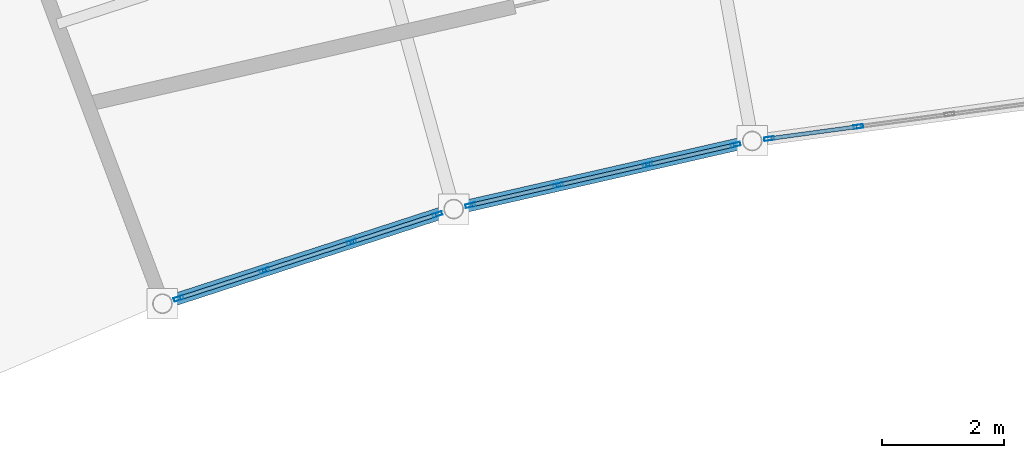
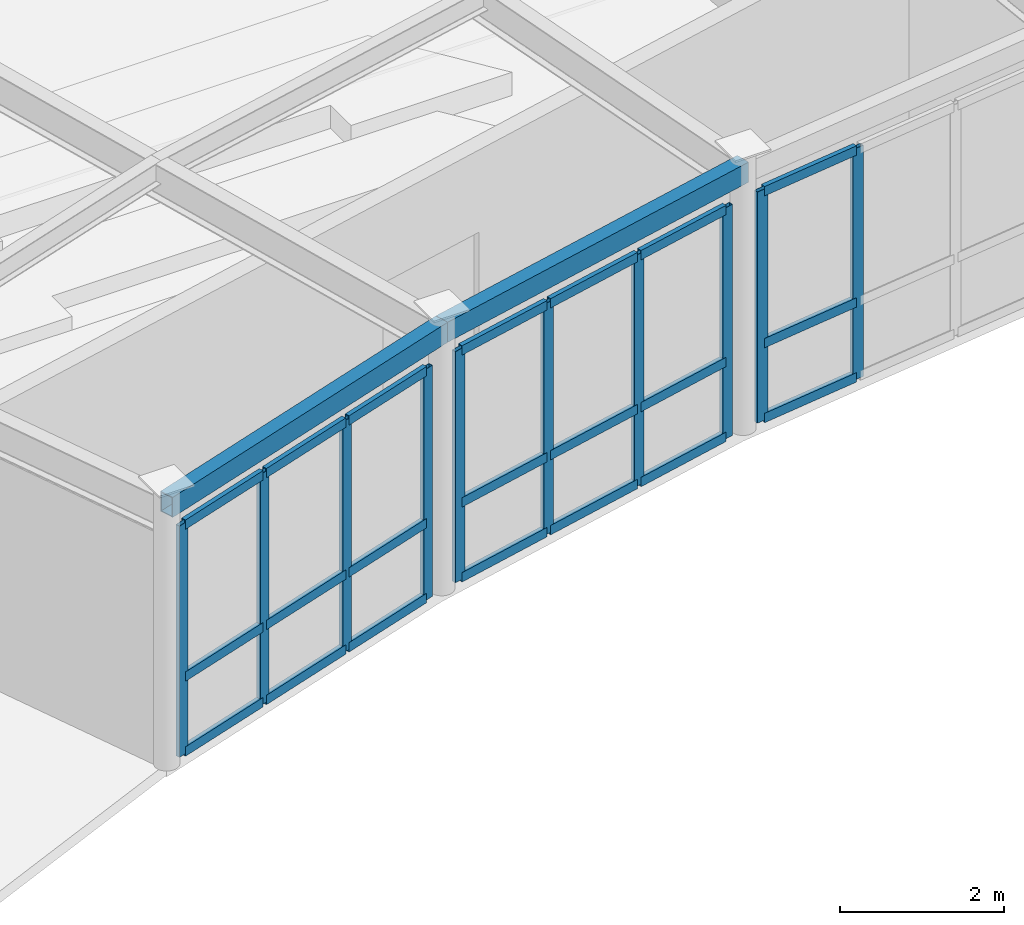
# One storey, part 22 of 54: 31 members, 2 beams, 3 elements without a shape of their own.
"""IFC4 building model written with IfcOpenShell, lengths in metres."""

from ifc_helpers import new_model, si_unit, direction, frame, origin, origin_2d, place, context, subcontext, project, spatial, hollow_rectangle, extrude, material, layer, layer_set, material_profile, profile_set, type_object, element, aggregate, save


model = new_model("IFC4")

# Units and contexts
model_context = context("Model", 3, precision=1e-05, world=origin(), true_north=direction((0.0, 1.0)))
body_context = subcontext(model_context, "Body", "Model", "MODEL_VIEW")
ifc_project = project(units=[si_unit("LENGTHUNIT", "METRE"), si_unit("AREAUNIT", "SQUARE_METRE"), si_unit("VOLUMEUNIT", "CUBIC_METRE"), si_unit("PLANEANGLEUNIT", "RADIAN"), si_unit("MASSUNIT", "GRAM", prefix="KILO")], contexts=[model_context])

# Site, building, storey
site_placement = place(None, origin())
site = spatial("IfcSite", under=ifc_project, at=site_placement, CompositionType="ELEMENT")
building_placement = place(site_placement, origin())
building = spatial("IfcBuilding", under=site, at=building_placement, Name="Selat Folded Stagehouse", CompositionType="ELEMENT")
storey_placement = place(building_placement, frame((0.0, 0.0, 15.0)))
storey = spatial("IfcBuildingStorey", under=building, at=storey_placement, Name="L03", CompositionType="ELEMENT", Elevation=15.0)

# Curtain wall, members
ifc_material_1 = material(Name="Aluminium 6063-T6", Category="aluminium")
ifc_layer = layer(ifc_material_1, 0.18994140625)
ifc_layer_set = layer_set([ifc_layer], Name="Aluminium 6063-T6")
curtain_wall_type = type_object("IfcCurtainWallType", Name="CW-REH-ARC", PredefinedType="NOTDEFINED", material=ifc_layer_set)
curtain_wall_1_placement = place(storey_placement, origin())
curtain_wall_1 = element("IfcCurtainWall", 1, at=curtain_wall_1_placement, inside=storey, type_object=curtain_wall_type, Name="L03 curtain wall CW-REH-L03-03", PredefinedType="NOTDEFINED")
ifc_material_profile_1 = material_profile(ifc_material_1, hollow_rectangle(XDim=0.06005859375, YDim=0.159912109375, WallThickness=0.00390625, at=origin_2d()), Name="ALU 160x60x4.0")
ifc_profile_set_1 = profile_set([ifc_material_profile_1], Name="Aluminium 6063-T6")
member_type_1 = type_object("IfcMemberType", Name="CWM-MUL-160x60", PredefinedType="MULLION", material=ifc_profile_set_1)
member_1_placement = place(storey_placement, frame((77.235595703125, 91.895263671875, 0.0), z_axis=(0.0, 0.0, 1.0), x_axis=(0.308991620714, -0.951064760323, 0.0)))
member_1 = element("IfcMember", 2, at=member_1_placement, type_object=member_type_1, Name="CW-06 mullion 1", PredefinedType="MULLION", context=body_context, shape_type="SweptSolid", body=[
    extrude(hollow_rectangle(XDim=0.06005859375, YDim=0.159912109375, WallThickness=0.00390625, at=origin_2d()), origin(), (0.0, 0.0, 1.0), 3.449951171875),
])
member_2_placement = place(storey_placement, frame((75.82958984375, 91.4384765625, 0.0), z_axis=(0.0, 0.0, 1.0), x_axis=(0.308991620714, -0.951064760323, 0.0)))
member_2 = element("IfcMember", 3, at=member_2_placement, type_object=member_type_1, Name="CW-06 mullion 2", PredefinedType="MULLION", context=body_context, shape_type="SweptSolid", body=[
    extrude(hollow_rectangle(XDim=0.06005859375, YDim=0.159912109375, WallThickness=0.00390625, at=origin_2d()), origin(), (0.0, 0.0, 1.0), 3.449951171875),
])
member_3_placement = place(storey_placement, frame((74.395263671875, 90.972412109375, 0.0), z_axis=(0.0, 0.0, 1.0), x_axis=(0.308991620714, -0.951064760323, 0.0)))
member_3 = element("IfcMember", 4, at=member_3_placement, type_object=member_type_1, Name="CW-06 mullion 3", PredefinedType="MULLION", context=body_context, shape_type="SweptSolid", body=[
    extrude(hollow_rectangle(XDim=0.06005859375, YDim=0.159912109375, WallThickness=0.00390625, at=origin_2d()), origin(), (0.0, 0.0, 1.0), 3.449951171875),
])
member_4_placement = place(storey_placement, frame((72.9892578125, 90.515869140625, 0.0), z_axis=(0.0, 0.0, 1.0), x_axis=(0.308991620714, -0.951064760323, 0.0)))
member_4 = element("IfcMember", 5, at=member_4_placement, type_object=member_type_1, Name="CW-06 mullion 4", PredefinedType="MULLION", context=body_context, shape_type="SweptSolid", body=[
    extrude(hollow_rectangle(XDim=0.06005859375, YDim=0.159912109375, WallThickness=0.00390625, at=origin_2d()), origin(), (0.0, 0.0, 1.0), 3.449951171875),
])

curtain_wall_2_placement = place(storey_placement, origin())
curtain_wall_2 = element("IfcCurtainWall", 6, at=curtain_wall_2_placement, inside=storey, type_object=curtain_wall_type, Name="L03 curtain wall CW-REH-L03-04", PredefinedType="NOTDEFINED")
member_5_placement = place(storey_placement, frame((82.1279296875, 93.037841796875, 0.0), z_axis=(0.0, 0.0, 1.0), x_axis=(0.222542761079, -0.974922930026, 0.0)))
member_5 = element("IfcMember", 7, at=member_5_placement, type_object=member_type_1, Name="CW-06 mullion 1", PredefinedType="MULLION", context=body_context, shape_type="SweptSolid", body=[
    extrude(hollow_rectangle(XDim=0.06005859375, YDim=0.159912109375, WallThickness=0.00390625, at=origin_2d()), origin(), (0.0, 0.0, 1.0), 3.449951171875),
])
member_6_placement = place(storey_placement, frame((80.6865234375, 92.708740234375, 0.0), z_axis=(0.0, 0.0, 1.0), x_axis=(0.222542761079, -0.974922930026, 0.0)))
member_6 = element("IfcMember", 8, at=member_6_placement, type_object=member_type_1, Name="CW-06 mullion 2", PredefinedType="MULLION", context=body_context, shape_type="SweptSolid", body=[
    extrude(hollow_rectangle(XDim=0.06005859375, YDim=0.159912109375, WallThickness=0.00390625, at=origin_2d()), origin(), (0.0, 0.0, 1.0), 3.449951171875),
])
member_7_placement = place(storey_placement, frame((79.216064453125, 92.373046875, 0.0), z_axis=(0.0, 0.0, 1.0), x_axis=(0.222542761079, -0.974922930026, 0.0)))
member_7 = element("IfcMember", 9, at=member_7_placement, type_object=member_type_1, Name="CW-06 mullion 3", PredefinedType="MULLION", context=body_context, shape_type="SweptSolid", body=[
    extrude(hollow_rectangle(XDim=0.06005859375, YDim=0.159912109375, WallThickness=0.00390625, at=origin_2d()), origin(), (0.0, 0.0, 1.0), 3.449951171875),
])
member_8_placement = place(storey_placement, frame((77.77490234375, 92.044189453125, 0.0), z_axis=(0.0, 0.0, 1.0), x_axis=(0.222542761079, -0.974922930026, 0.0)))
member_8 = element("IfcMember", 10, at=member_8_placement, type_object=member_type_1, Name="CW-06 mullion 4", PredefinedType="MULLION", context=body_context, shape_type="SweptSolid", body=[
    extrude(hollow_rectangle(XDim=0.06005859375, YDim=0.159912109375, WallThickness=0.00390625, at=origin_2d()), origin(), (0.0, 0.0, 1.0), 3.449951171875),
])

curtain_wall_3_placement = place(storey_placement, origin())
curtain_wall_3 = element("IfcCurtainWall", 11, at=curtain_wall_3_placement, inside=storey, type_object=curtain_wall_type, Name="L03 curtain wall CW-REH-L03-05", PredefinedType="NOTDEFINED")
member_9_placement = place(storey_placement, frame((84.14306640625, 93.336181640625, 0.0), z_axis=(0.0, 0.0, 1.0), x_axis=(0.134211766018, -0.990952673876, 0.0)))
member_9 = element("IfcMember", 12, at=member_9_placement, type_object=member_type_1, Name="CW-06 mullion 3", PredefinedType="MULLION", context=body_context, shape_type="SweptSolid", body=[
    extrude(hollow_rectangle(XDim=0.06005859375, YDim=0.159912109375, WallThickness=0.00390625, at=origin_2d()), origin(), (0.0, 0.0, 1.0), 3.449951171875),
])
member_10_placement = place(storey_placement, frame((82.67822265625, 93.1376953125, 0.0), z_axis=(0.0, 0.0, 1.0), x_axis=(0.134211766018, -0.990952673876, 0.0)))
member_10 = element("IfcMember", 13, at=member_10_placement, type_object=member_type_1, Name="CW-06 mullion 4", PredefinedType="MULLION", context=body_context, shape_type="SweptSolid", body=[
    extrude(hollow_rectangle(XDim=0.06005859375, YDim=0.159912109375, WallThickness=0.00390625, at=origin_2d()), origin(), (0.0, 0.0, 1.0), 3.449951171875),
])

# Member
ifc_material_profile_2 = material_profile(ifc_material_1, hollow_rectangle(XDim=0.06494140625, YDim=0.139892578125, WallThickness=0.00390625, at=origin_2d()), Name="ALU 140x65x4.0")
ifc_profile_set_2 = profile_set([ifc_material_profile_2], Name="Aluminium 6063-T6")
member_type_2 = type_object("IfcMemberType", Name="CWM-TRN-140x65", PredefinedType="USERDEFINED", material=ifc_profile_set_2)
member_11_placement = place(storey_placement, frame((77.20703125, 91.885986328125, 0.032470703125), z_axis=(-0.951065688988, -0.308988762305, 0.0), x_axis=(0.308988762305, -0.951065688988, 0.0)))
member_11 = element("IfcMember", 14, at=member_11_placement, type_object=member_type_2, Name="CW-06 transom 1.1", ObjectType="TRANSOM", PredefinedType="USERDEFINED", context=body_context, shape_type="SweptSolid", body=[
    extrude(hollow_rectangle(XDim=0.06494140625, YDim=0.139892578125, WallThickness=0.00390625, at=origin_2d()), origin(), (0.0, 0.0, 1.0), 1.418212890625),
])

member_12_placement = place(storey_placement, frame((77.20703125, 91.885986328125, 1.14990234375), z_axis=(-0.951065688988, -0.308988762305, 0.0), x_axis=(0.308988762305, -0.951065688988, 0.0)))
member_12 = element("IfcMember", 15, at=member_12_placement, type_object=member_type_2, Name="CW-06 transom 1.2", ObjectType="TRANSOM", PredefinedType="USERDEFINED", context=body_context, shape_type="SweptSolid", body=[
    extrude(hollow_rectangle(XDim=0.06494140625, YDim=0.139892578125, WallThickness=0.00390625, at=origin_2d()), origin(), (0.0, 0.0, 1.0), 1.418212890625),
])

member_13_placement = place(storey_placement, frame((77.20703125, 91.885986328125, 3.41748046875), z_axis=(-0.951065688988, -0.308988762305, 0.0), x_axis=(0.308988762305, -0.951065688988, 0.0)))
member_13 = element("IfcMember", 16, at=member_13_placement, type_object=member_type_2, Name="CW-06 transom 1.3", ObjectType="TRANSOM", PredefinedType="USERDEFINED", context=body_context, shape_type="SweptSolid", body=[
    extrude(hollow_rectangle(XDim=0.06494140625, YDim=0.139892578125, WallThickness=0.00390625, at=origin_2d()), origin(), (0.0, 0.0, 1.0), 1.418212890625),
])

member_14_placement = place(storey_placement, frame((75.801025390625, 91.42919921875, 0.032470703125), z_axis=(-0.951050174126, -0.309036512883, 0.0), x_axis=(0.309036512883, -0.951050174126, 0.0)))
member_14 = element("IfcMember", 17, at=member_14_placement, type_object=member_type_2, Name="CW-06 transom 2.1", ObjectType="TRANSOM", PredefinedType="USERDEFINED", context=body_context, shape_type="SweptSolid", body=[
    extrude(hollow_rectangle(XDim=0.06494140625, YDim=0.139892578125, WallThickness=0.00390625, at=origin_2d()), origin(), (0.0, 0.0, 1.0), 1.447998046875),
])

member_15_placement = place(storey_placement, frame((75.801025390625, 91.42919921875, 1.14990234375), z_axis=(-0.951050174126, -0.309036512883, 0.0), x_axis=(0.309036512883, -0.951050174126, 0.0)))
member_15 = element("IfcMember", 18, at=member_15_placement, type_object=member_type_2, Name="CW-06 transom 2.2", ObjectType="TRANSOM", PredefinedType="USERDEFINED", context=body_context, shape_type="SweptSolid", body=[
    extrude(hollow_rectangle(XDim=0.06494140625, YDim=0.139892578125, WallThickness=0.00390625, at=origin_2d()), origin(), (0.0, 0.0, 1.0), 1.447998046875),
])

member_16_placement = place(storey_placement, frame((75.801025390625, 91.42919921875, 3.41748046875), z_axis=(-0.951050174126, -0.309036512883, 0.0), x_axis=(0.309036512883, -0.951050174126, 0.0)))
member_16 = element("IfcMember", 19, at=member_16_placement, type_object=member_type_2, Name="CW-06 transom 2.3", ObjectType="TRANSOM", PredefinedType="USERDEFINED", context=body_context, shape_type="SweptSolid", body=[
    extrude(hollow_rectangle(XDim=0.06494140625, YDim=0.139892578125, WallThickness=0.00390625, at=origin_2d()), origin(), (0.0, 0.0, 1.0), 1.447998046875),
])

member_17_placement = place(storey_placement, frame((74.36669921875, 90.96337890625, 0.032470703125), z_axis=(-0.951065688988, -0.308988762305, 0.0), x_axis=(0.308988762305, -0.951065688988, 0.0)))
member_17 = element("IfcMember", 20, at=member_17_placement, type_object=member_type_2, Name="CW-06 transom 3.1", ObjectType="TRANSOM", PredefinedType="USERDEFINED", context=body_context, shape_type="SweptSolid", body=[
    extrude(hollow_rectangle(XDim=0.06494140625, YDim=0.139892578125, WallThickness=0.00390625, at=origin_2d()), origin(), (0.0, 0.0, 1.0), 1.418212890625),
])

member_18_placement = place(storey_placement, frame((74.36669921875, 90.96337890625, 1.14990234375), z_axis=(-0.951065688988, -0.308988762305, 0.0), x_axis=(0.308988762305, -0.951065688988, 0.0)))
member_18 = element("IfcMember", 21, at=member_18_placement, type_object=member_type_2, Name="CW-06 transom 3.2", ObjectType="TRANSOM", PredefinedType="USERDEFINED", context=body_context, shape_type="SweptSolid", body=[
    extrude(hollow_rectangle(XDim=0.06494140625, YDim=0.139892578125, WallThickness=0.00390625, at=origin_2d()), origin(), (0.0, 0.0, 1.0), 1.418212890625),
])

member_19_placement = place(storey_placement, frame((74.36669921875, 90.96337890625, 3.41748046875), z_axis=(-0.951065688988, -0.308988762305, 0.0), x_axis=(0.308988762305, -0.951065688988, 0.0)))
member_19 = element("IfcMember", 22, at=member_19_placement, type_object=member_type_2, Name="CW-06 transom 3.3", ObjectType="TRANSOM", PredefinedType="USERDEFINED", context=body_context, shape_type="SweptSolid", body=[
    extrude(hollow_rectangle(XDim=0.06494140625, YDim=0.139892578125, WallThickness=0.00390625, at=origin_2d()), origin(), (0.0, 0.0, 1.0), 1.418212890625),
])

aggregate(curtain_wall_1, [member_1, member_2, member_3, member_4, member_11, member_12, member_13, member_14, member_15, member_16, member_17, member_18, member_19])

member_20_placement = place(storey_placement, frame((82.0986328125, 93.03125, 0.032470703125), z_axis=(-0.974919361771, -0.222558392438, 0.0), x_axis=(0.222558392438, -0.974919361771, 0.0)))
member_20 = element("IfcMember", 23, at=member_20_placement, type_object=member_type_2, Name="CW-06 transom 1.1", ObjectType="TRANSOM", PredefinedType="USERDEFINED", context=body_context, shape_type="SweptSolid", body=[
    extrude(hollow_rectangle(XDim=0.06494140625, YDim=0.139892578125, WallThickness=0.00390625, at=origin_2d()), origin(), (0.0, 0.0, 1.0), 1.41845703125),
])

member_21_placement = place(storey_placement, frame((82.0986328125, 93.03125, 1.14990234375), z_axis=(-0.974919361771, -0.222558392438, 0.0), x_axis=(0.222558392438, -0.974919361771, 0.0)))
member_21 = element("IfcMember", 24, at=member_21_placement, type_object=member_type_2, Name="CW-06 transom 1.2", ObjectType="TRANSOM", PredefinedType="USERDEFINED", context=body_context, shape_type="SweptSolid", body=[
    extrude(hollow_rectangle(XDim=0.06494140625, YDim=0.139892578125, WallThickness=0.00390625, at=origin_2d()), origin(), (0.0, 0.0, 1.0), 1.41845703125),
])

member_22_placement = place(storey_placement, frame((82.0986328125, 93.03125, 3.41748046875), z_axis=(-0.974919361771, -0.222558392438, 0.0), x_axis=(0.222558392438, -0.974919361771, 0.0)))
member_22 = element("IfcMember", 25, at=member_22_placement, type_object=member_type_2, Name="CW-06 transom 1.3", ObjectType="TRANSOM", PredefinedType="USERDEFINED", context=body_context, shape_type="SweptSolid", body=[
    extrude(hollow_rectangle(XDim=0.06494140625, YDim=0.139892578125, WallThickness=0.00390625, at=origin_2d()), origin(), (0.0, 0.0, 1.0), 1.41845703125),
])

member_23_placement = place(storey_placement, frame((80.657470703125, 92.7021484375, 0.032470703125), z_axis=(-0.974933771932, -0.222495259155, 0.0), x_axis=(0.222495259155, -0.974933771932, 0.0)))
member_23 = element("IfcMember", 26, at=member_23_placement, type_object=member_type_2, Name="CW-06 transom 2.1", ObjectType="TRANSOM", PredefinedType="USERDEFINED", context=body_context, shape_type="SweptSolid", body=[
    extrude(hollow_rectangle(XDim=0.06494140625, YDim=0.139892578125, WallThickness=0.00390625, at=origin_2d()), origin(), (0.0, 0.0, 1.0), 1.448486328125),
])

member_24_placement = place(storey_placement, frame((80.657470703125, 92.7021484375, 1.14990234375), z_axis=(-0.974933771932, -0.222495259155, 0.0), x_axis=(0.222495259155, -0.974933771932, 0.0)))
member_24 = element("IfcMember", 27, at=member_24_placement, type_object=member_type_2, Name="CW-06 transom 2.2", ObjectType="TRANSOM", PredefinedType="USERDEFINED", context=body_context, shape_type="SweptSolid", body=[
    extrude(hollow_rectangle(XDim=0.06494140625, YDim=0.139892578125, WallThickness=0.00390625, at=origin_2d()), origin(), (0.0, 0.0, 1.0), 1.448486328125),
])

member_25_placement = place(storey_placement, frame((80.657470703125, 92.7021484375, 3.41748046875), z_axis=(-0.974933771932, -0.222495259155, 0.0), x_axis=(0.222495259155, -0.974933771932, 0.0)))
member_25 = element("IfcMember", 28, at=member_25_placement, type_object=member_type_2, Name="CW-06 transom 2.3", ObjectType="TRANSOM", PredefinedType="USERDEFINED", context=body_context, shape_type="SweptSolid", body=[
    extrude(hollow_rectangle(XDim=0.06494140625, YDim=0.139892578125, WallThickness=0.00390625, at=origin_2d()), origin(), (0.0, 0.0, 1.0), 1.448486328125),
])

member_26_placement = place(storey_placement, frame((79.186767578125, 92.366455078125, 0.032470703125), z_axis=(-0.974910833858, -0.222595745749, 0.0), x_axis=(0.222595745749, -0.974910833858, 0.0)))
member_26 = element("IfcMember", 29, at=member_26_placement, type_object=member_type_2, Name="CW-06 transom 3.1", ObjectType="TRANSOM", PredefinedType="USERDEFINED", context=body_context, shape_type="SweptSolid", body=[
    extrude(hollow_rectangle(XDim=0.06494140625, YDim=0.139892578125, WallThickness=0.00390625, at=origin_2d()), origin(), (0.0, 0.0, 1.0), 1.418212890625),
])

member_27_placement = place(storey_placement, frame((79.186767578125, 92.366455078125, 1.14990234375), z_axis=(-0.974910833858, -0.222595745749, 0.0), x_axis=(0.222595745749, -0.974910833858, 0.0)))
member_27 = element("IfcMember", 30, at=member_27_placement, type_object=member_type_2, Name="CW-06 transom 3.2", ObjectType="TRANSOM", PredefinedType="USERDEFINED", context=body_context, shape_type="SweptSolid", body=[
    extrude(hollow_rectangle(XDim=0.06494140625, YDim=0.139892578125, WallThickness=0.00390625, at=origin_2d()), origin(), (0.0, 0.0, 1.0), 1.418212890625),
])

member_28_placement = place(storey_placement, frame((79.186767578125, 92.366455078125, 3.41748046875), z_axis=(-0.974910833858, -0.222595745749, 0.0), x_axis=(0.222595745749, -0.974910833858, 0.0)))
member_28 = element("IfcMember", 31, at=member_28_placement, type_object=member_type_2, Name="CW-06 transom 3.3", ObjectType="TRANSOM", PredefinedType="USERDEFINED", context=body_context, shape_type="SweptSolid", body=[
    extrude(hollow_rectangle(XDim=0.06494140625, YDim=0.139892578125, WallThickness=0.00390625, at=origin_2d()), origin(), (0.0, 0.0, 1.0), 1.418212890625),
])

aggregate(curtain_wall_2, [member_5, member_6, member_7, member_8, member_20, member_21, member_22, member_23, member_24, member_25, member_26, member_27, member_28])

member_29_placement = place(storey_placement, frame((84.113525390625, 93.33203125, 0.032470703125), z_axis=(-0.990968953763, -0.134091508595, 0.0), x_axis=(0.134091508595, -0.990968953763, 0.0)))
member_29 = element("IfcMember", 32, at=member_29_placement, type_object=member_type_2, Name="CW-06 transom 3.1", ObjectType="TRANSOM", PredefinedType="USERDEFINED", context=body_context, shape_type="SweptSolid", body=[
    extrude(hollow_rectangle(XDim=0.06494140625, YDim=0.139892578125, WallThickness=0.00390625, at=origin_2d()), origin(), (0.0, 0.0, 1.0), 1.418212890625),
])

member_30_placement = place(storey_placement, frame((84.113525390625, 93.33203125, 1.14990234375), z_axis=(-0.990968953763, -0.134091508595, 0.0), x_axis=(0.134091508595, -0.990968953763, 0.0)))
member_30 = element("IfcMember", 33, at=member_30_placement, type_object=member_type_2, Name="CW-06 transom 3.2", ObjectType="TRANSOM", PredefinedType="USERDEFINED", context=body_context, shape_type="SweptSolid", body=[
    extrude(hollow_rectangle(XDim=0.06494140625, YDim=0.139892578125, WallThickness=0.00390625, at=origin_2d()), origin(), (0.0, 0.0, 1.0), 1.418212890625),
])

member_31_placement = place(storey_placement, frame((84.113525390625, 93.33203125, 3.41748046875), z_axis=(-0.990968953763, -0.134091508595, 0.0), x_axis=(0.134091508595, -0.990968953763, 0.0)))
member_31 = element("IfcMember", 34, at=member_31_placement, type_object=member_type_2, Name="CW-06 transom 3.3", ObjectType="TRANSOM", PredefinedType="USERDEFINED", context=body_context, shape_type="SweptSolid", body=[
    extrude(hollow_rectangle(XDim=0.06494140625, YDim=0.139892578125, WallThickness=0.00390625, at=origin_2d()), origin(), (0.0, 0.0, 1.0), 1.418212890625),
])

aggregate(curtain_wall_3, [member_9, member_10, member_29, member_30, member_31])

# Beams
ifc_material_2 = material(Name="Steel S355", Category="steel")
ifc_material_profile_3 = material_profile(ifc_material_2, hollow_rectangle(XDim=0.199951171875, YDim=0.300048828125, WallThickness=0.012451171875, at=origin_2d()), Name="RHS 300x200x12.5")
ifc_profile_set_3 = profile_set([ifc_material_profile_3], Name="Steel S355")
beam_type = type_object("IfcBeamType", Name="SPD-RHS-300x200", PredefinedType="SPANDREL", material=ifc_profile_set_3)
for number, where, z_axis, x_axis, name in (
    (35, (72.722900390625, 90.42919921875, 3.867919921875), (0.951060843481, 0.309003676349, 0.0), (-0.309003676349, 0.951060843481, 0.0), "L03 inner curved rehearsal spandrel 4"),
    (36, (77.501953125, 91.98193359375, 3.867919921875), (0.974927211846, 0.222524002305, 0.0), (-0.222524002305, 0.974927211846, 0.0), "L03 inner curved rehearsal spandrel 5"),
):
    element("IfcBeam", number, at=place(storey_placement, frame(where, z_axis=z_axis, x_axis=x_axis)), inside=storey, type_object=beam_type, Name=name, PredefinedType="SPANDREL", context=body_context, shape_type="SweptSolid", body=[
        extrude(hollow_rectangle(XDim=0.199951171875, YDim=0.300048828125, WallThickness=0.012451171875, at=origin_2d()), origin(), (0.0, 0.0, 1.0), 5.02490234375),
    ])

save(model, "model.ifc")
